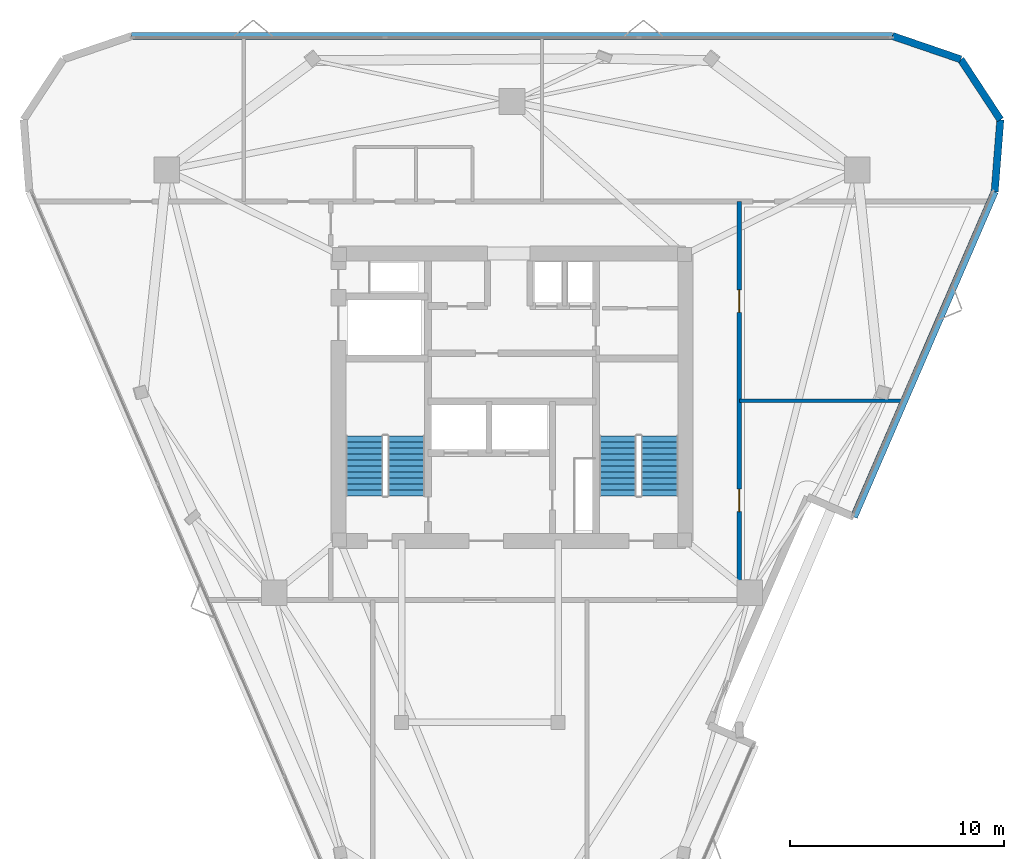
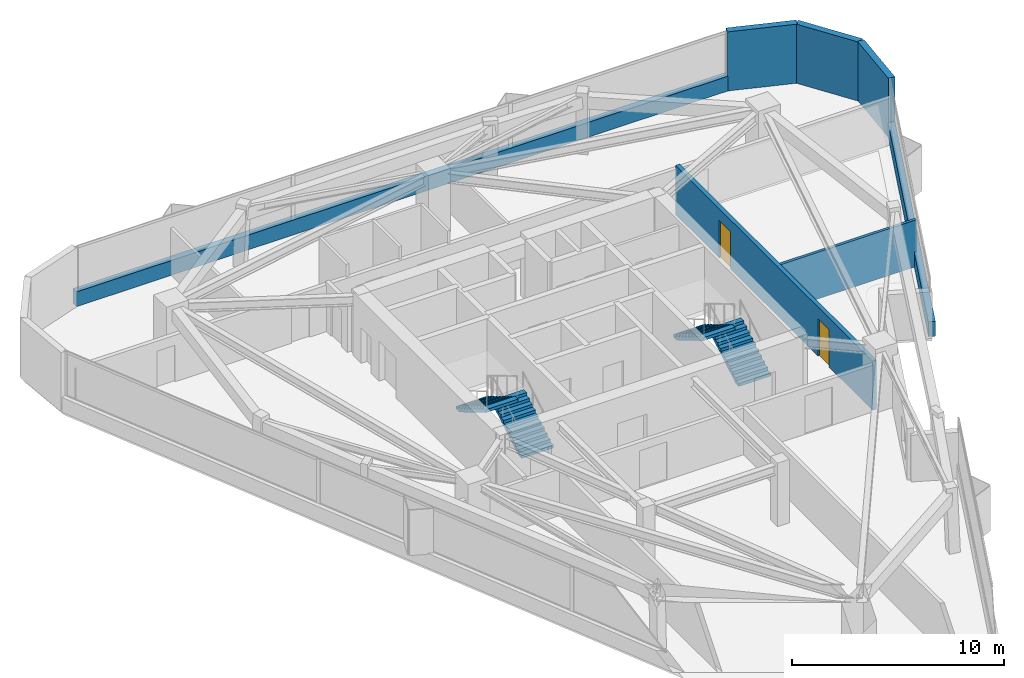
# One storey, part 9 of 10: 7 walls, 4 stair flights, 2 doors, 2 openings, 2 elements without a shape of their own.
"""IFC4 building model written with IfcOpenShell, lengths in metres."""

from ifc_helpers import new_model, si_unit, direction, frame, frame_2d, origin, place, context, subcontext, project, spatial, polyline, rectangle, outline, extrude, material, layer, layer_set, type_object, element, fill, aggregate, save


model = new_model("IFC4")

# Units and contexts
model_context = context("Model", 3, precision=1e-05, world=origin(), true_north=direction((0.0, 1.0)))
body_context = subcontext(model_context, "Body", "Model", "MODEL_VIEW")
ifc_project = project(units=[si_unit("LENGTHUNIT", "METRE"), si_unit("AREAUNIT", "SQUARE_METRE"), si_unit("VOLUMEUNIT", "CUBIC_METRE"), si_unit("PLANEANGLEUNIT", "RADIAN"), si_unit("MASSUNIT", "GRAM", prefix="KILO")], contexts=[model_context])

# Site, building, storey
site_placement = place(None, origin())
site = spatial("IfcSite", under=ifc_project, at=site_placement, CompositionType="ELEMENT")
building_placement = place(site_placement, origin())
building = spatial("IfcBuilding", under=site, at=building_placement, Name="Talyreon Biosciences Tower", CompositionType="ELEMENT")
storey_placement = place(building_placement, frame((0.0, 0.0, 257.14990234375)))
storey = spatial("IfcBuildingStorey", under=building, at=storey_placement, Name="L68", CompositionType="ELEMENT", Elevation=257.14990234375)

# Wall, openings, doors
ifc_material_1 = material(Name="Gypsum fireboard acoustic stud", Category="gypsum")
ifc_layer_1 = layer(ifc_material_1, 0.219970703125)
ifc_layer_set_1 = layer_set([ifc_layer_1], Name="Gypsum fireboard acoustic stud")
wall_type_1 = type_object("IfcWallType", Name="CorridorRatedPartition_220", PredefinedType="PARTITIONING", material=ifc_layer_set_1)
wall_1_placement = place(storey_placement, frame((76.60009765625, 58.550048828125, 0.0), z_axis=(0.0, 0.0, 1.0), x_axis=(0.0, 1.0, 0.0)))
wall_1 = element("IfcWall", 1, at=wall_1_placement, inside=storey, type_object=wall_type_1, Name="L68 Interior Wall IW-L68-COR-E", PredefinedType="PARTITIONING", context=body_context, shape_type="SweptSolid", body=[
    extrude(rectangle(XDim=18.579833984375, YDim=0.219970703125, at=frame_2d((9.2900390625, 0.0))), origin(), (0.0, 0.0, 1.0), 2.830078125),
])
opening_1_placement = place(wall_1_placement, frame((4.1201171875, 0.0, 0.0)))
opening_1 = element("IfcOpeningElement", 2, at=opening_1_placement, cuts=wall_1, Name="Opening DR-L68-E1A", PredefinedType="OPENING", context=body_context, shape_type="SweptSolid", body=[
    extrude(rectangle(XDim=1.050048828125, YDim=2.14990234375, at=frame_2d((0.52490234375, 1.074951171875))), frame((0.0, 0.119873046875, 0.0), z_axis=(0.0, -1.0, 0.0), x_axis=(1.0, 0.0, 0.0)), (0.0, 0.0, 1.0), 0.239990234375),
])
opening_2_placement = place(wall_1_placement, frame((13.409912109375, 0.0, 0.0)))
opening_2 = element("IfcOpeningElement", 3, at=opening_2_placement, cuts=wall_1, Name="Opening DR-L68-E2A", PredefinedType="OPENING", context=body_context, shape_type="SweptSolid", body=[
    extrude(rectangle(XDim=1.050048828125, YDim=2.14990234375, at=frame_2d((0.52490234375, 1.074951171875))), frame((0.0, 0.119873046875, 0.0), z_axis=(0.0, -1.0, 0.0), x_axis=(1.0, 0.0, 0.0)), (0.0, 0.0, 1.0), 0.239990234375),
])
ifc_material_2 = material(Name="Acoustic timber-core laboratory door", Category="wood")
door_type = type_object("IfcDoorType", Name="DryLabSingleDoor_1050x2150", OperationType="NOTDEFINED", PredefinedType="DOOR", material=ifc_material_2)
door_1_placement = place(opening_1_placement, origin())
door_1 = element("IfcDoor", 4, at=door_1_placement, inside=storey, type_object=door_type, Name="L68 Interior Door DR-L68-E1A", OperationType="SINGLE_SWING_RIGHT", OverallHeight=2.14990234375, OverallWidth=1.050048828125, PredefinedType="DOOR", context=body_context, shape_type="SweptSolid", body=[
    extrude(rectangle(XDim=1.050048828125, YDim=2.14990234375, at=frame_2d((0.52490234375, 1.074951171875))), frame((0.0, 0.02490234375, 0.0), z_axis=(0.0, -1.0, 0.0), x_axis=(1.0, 0.0, 0.0)), (0.0, 0.0, 1.0), 0.050048828125),
])
fill(opening_1, door_1)
door_2_placement = place(opening_2_placement, origin())
door_2 = element("IfcDoor", 5, at=door_2_placement, inside=storey, type_object=door_type, Name="L68 Interior Door DR-L68-E2A", OperationType="SINGLE_SWING_LEFT", OverallHeight=2.14990234375, OverallWidth=1.050048828125, PredefinedType="DOOR", context=body_context, shape_type="SweptSolid", body=[
    extrude(rectangle(XDim=1.050048828125, YDim=2.14990234375, at=frame_2d((0.52490234375, 1.074951171875))), frame((0.0, 0.02490234375, 0.0), z_axis=(0.0, -1.0, 0.0), x_axis=(1.0, 0.0, 0.0)), (0.0, 0.0, 1.0), 0.050048828125),
])
fill(opening_2, door_2)

# Walls
ifc_material_3 = material(Name="Gypsum acoustic stud partition", Category="gypsum")
ifc_layer_2 = layer(ifc_material_3, 0.159912109375)
ifc_layer_set_2 = layer_set([ifc_layer_2], Name="Gypsum acoustic stud partition")
wall_type_2 = type_object("IfcWallType", Name="LabSeparationPartition_160", PredefinedType="PARTITIONING", material=ifc_layer_set_2)
wall_2_placement = place(storey_placement, frame((76.60009765625, 67.840087890625, 0.0), z_axis=(0.0, 0.0, 1.0), x_axis=(1.0, 0.0, 0.0)))
element("IfcWall", 6, at=wall_2_placement, inside=storey, type_object=wall_type_2, Name="L68 Interior Wall IW-L68-EDIV1", PredefinedType="PARTITIONING", context=body_context, shape_type="SweptSolid", body=[
    extrude(rectangle(XDim=7.599853515625, YDim=0.159912109375, at=frame_2d((3.7998046875, 0.0))), origin(), (0.0, 0.0, 1.0), 2.68017578125),
])
ifc_material_4 = material(Name="Precast concrete C45/55", Category="concrete")
ifc_layer_3 = layer(ifc_material_4, 0.340087890625)
ifc_layer_set_3 = layer_set([ifc_layer_3], Name="Precast concrete C45/55")
wall_type_3 = type_object("IfcWallType", Name="PrecastConcreteSpandrelWall_340", PredefinedType="STANDARD", material=ifc_layer_set_3)
wall_3_placement = place(storey_placement, frame((48.261474609375, 84.85107421875, 0.0), z_axis=(0.0, 0.0, 1.0), x_axis=(1.0, 0.0, 0.0)))
element("IfcWall", 7, at=wall_3_placement, inside=storey, type_object=wall_type_3, Name="L68 Expressed Concrete Sill Wall 03", PredefinedType="STANDARD", context=body_context, shape_type="SweptSolid", body=[
    extrude(rectangle(XDim=35.47705078125, YDim=0.340087890625, at=frame_2d((17.738525390625, 0.0))), origin(), (0.0, 0.0, 1.0), 0.85009765625),
])
for number, where, z_axis, x_axis, name in (
    (8, (83.738525390625, 84.85107421875, 0.0), (0.0, 0.0, 1.0), (0.946079263446, -0.323935220805, 0.0), "L68 Rounded-Corner Concrete Pier 04"),
    (9, (86.92578125, 83.759765625, 0.0), (0.0, 0.0, 1.0), (0.548950833431, -0.835854641953, 0.0), "L68 Rounded-Corner Concrete Pier 05"),
    (10, (88.775146484375, 80.94384765625, 0.0), (0.0, 0.0, 1.0), (-0.078558440607, -0.996909510141, 0.0), "L68 Rounded-Corner Concrete Pier 06"),
):
    element("IfcWall", number, at=place(storey_placement, frame(where, z_axis=z_axis, x_axis=x_axis)), inside=storey, type_object=wall_type_3, Name=name, PredefinedType="STANDARD", context=body_context, shape_type="SweptSolid", body=[
        extrude(rectangle(XDim=3.368896484375, YDim=0.340087890625, at=frame_2d((1.6845703125, 0.0))), origin(), (0.0, 0.0, 1.0), 3.400146484375),
    ])
wall_4_placement = place(storey_placement, frame((88.510498046875, 77.58544921875, 0.0), z_axis=(0.0, 0.0, 1.0), x_axis=(-0.397209451252, -0.917727983575, 0.0)))
element("IfcWall", 11, at=wall_4_placement, inside=storey, type_object=wall_type_3, Name="L68 Expressed Concrete Sill Wall 07", PredefinedType="STANDARD", context=body_context, shape_type="SweptSolid", body=[
    extrude(rectangle(XDim=16.5283203125, YDim=0.340087890625, at=frame_2d((8.26416015625, 0.0))), origin(), (0.0, 0.0, 1.0), 0.85009765625),
])

# Stair, stair flights
ifc_material_5 = material(Name="Concrete C40/50", Category="concrete")
stair_type = type_object("IfcStairType", Name="DoglegEscapeStair_3650", PredefinedType="HALF_TURN_STAIR", material=ifc_material_5)
stair_1_placement = place(storey_placement, origin())
stair_1 = element("IfcStair", 12, at=stair_1_placement, inside=storey, type_object=stair_type, Name="L68 Core Escape Stair 1", PredefinedType="HALF_TURN_STAIR")
stair_flight_type = type_object("IfcStairFlightType", Name="PrecastStairFlight_3650", PredefinedType="STRAIGHT", material=ifc_material_5)
stair_flight_1_placement = place(storey_placement, frame((61.06005859375, 63.39990234375, 0.0), z_axis=(0.0, 0.0, 1.0), x_axis=(0.0, 1.0, 0.0)))
stair_flight_1 = element("IfcStairFlight", 13, at=stair_flight_1_placement, type_object=stair_flight_type, Name="ST-1 flight 1", NumberOfRisers=11, NumberOfTreads=10, PredefinedType="STRAIGHT", RiserHeight=0.165909091, TreadLength=0.28, context=body_context, shape_type="SweptSolid", body=[
    extrude(outline(polyline([(0.0, 0.0), (0.0, 0.166015625), (0.280029296875, 0.166015625), (0.280029296875, 0.331787109375), (0.56005859375, 0.331787109375), (0.56005859375, 0.497802734375), (0.840087890625, 0.497802734375), (0.840087890625, 0.66357421875), (1.1201171875, 0.66357421875), (1.1201171875, 0.82958984375), (1.39990234375, 0.82958984375), (1.39990234375, 0.995361328125), (1.679931640625, 0.995361328125), (1.679931640625, 1.161376953125), (1.9599609375, 1.161376953125), (1.9599609375, 1.327392578125), (2.239990234375, 1.327392578125), (2.239990234375, 1.4931640625), (2.52001953125, 1.4931640625), (2.52001953125, 1.6591796875), (2.800048828125, 1.6591796875), (2.800048828125, 1.824951171875), (2.800048828125, 1.48486328125), (0.2939453125, 0.0), (0.0, 0.0)])), frame((0.0, 0.8701171875, 0.0), z_axis=(0.0, -1.0, 0.0), x_axis=(1.0, 0.0, 0.0)), (0.0, 0.0, 1.0), 1.739990234375),
])
stair_flight_2_placement = place(storey_placement, frame((59.1201171875, 66.199951171875, 1.8251953125), z_axis=(0.0, 0.0, 1.0), x_axis=(0.0, -1.0, 0.0)))
stair_flight_2 = element("IfcStairFlight", 14, at=stair_flight_2_placement, type_object=stair_flight_type, Name="ST-1 flight 2", NumberOfRisers=11, NumberOfTreads=10, PredefinedType="STRAIGHT", RiserHeight=0.165909091, TreadLength=0.28, context=body_context, shape_type="SweptSolid", body=[
    extrude(outline(polyline([(0.0, 0.0), (0.0, 0.166015625), (0.280029296875, 0.166015625), (0.280029296875, 0.331787109375), (0.56005859375, 0.331787109375), (0.56005859375, 0.497802734375), (0.840087890625, 0.497802734375), (0.840087890625, 0.66357421875), (1.1201171875, 0.66357421875), (1.1201171875, 0.82958984375), (1.39990234375, 0.82958984375), (1.39990234375, 0.995361328125), (1.679931640625, 0.995361328125), (1.679931640625, 1.161376953125), (1.9599609375, 1.161376953125), (1.9599609375, 1.327392578125), (2.239990234375, 1.327392578125), (2.239990234375, 1.4931640625), (2.52001953125, 1.4931640625), (2.52001953125, 1.6591796875), (2.800048828125, 1.6591796875), (2.800048828125, 1.824951171875), (2.800048828125, 1.48486328125), (0.2939453125, 0.0), (0.0, 0.0)])), frame((0.0, 0.8701171875, 0.0), z_axis=(0.0, -1.0, 0.0), x_axis=(1.0, 0.0, 0.0)), (0.0, 0.0, 1.0), 1.739990234375),
])
aggregate(stair_1, [stair_flight_1, stair_flight_2])

stair_2_placement = place(storey_placement, origin())
stair_2 = element("IfcStair", 15, at=stair_2_placement, inside=storey, type_object=stair_type, Name="L68 Core Escape Stair 2", PredefinedType="HALF_TURN_STAIR")
stair_flight_3_placement = place(storey_placement, frame((72.8798828125, 63.39990234375, 0.0), z_axis=(0.0, 0.0, 1.0), x_axis=(0.0, 1.0, 0.0)))
stair_flight_3 = element("IfcStairFlight", 16, at=stair_flight_3_placement, type_object=stair_flight_type, Name="ST-2 flight 1", NumberOfRisers=11, NumberOfTreads=10, PredefinedType="STRAIGHT", RiserHeight=0.165909091, TreadLength=0.28, context=body_context, shape_type="SweptSolid", body=[
    extrude(outline(polyline([(0.0, 0.0), (0.0, 0.166015625), (0.280029296875, 0.166015625), (0.280029296875, 0.331787109375), (0.56005859375, 0.331787109375), (0.56005859375, 0.497802734375), (0.840087890625, 0.497802734375), (0.840087890625, 0.66357421875), (1.1201171875, 0.66357421875), (1.1201171875, 0.82958984375), (1.39990234375, 0.82958984375), (1.39990234375, 0.995361328125), (1.679931640625, 0.995361328125), (1.679931640625, 1.161376953125), (1.9599609375, 1.161376953125), (1.9599609375, 1.327392578125), (2.239990234375, 1.327392578125), (2.239990234375, 1.4931640625), (2.52001953125, 1.4931640625), (2.52001953125, 1.6591796875), (2.800048828125, 1.6591796875), (2.800048828125, 1.824951171875), (2.800048828125, 1.48486328125), (0.2939453125, 0.0), (0.0, 0.0)])), frame((0.0, 0.8701171875, 0.0), z_axis=(0.0, -1.0, 0.0), x_axis=(1.0, 0.0, 0.0)), (0.0, 0.0, 1.0), 1.739990234375),
])
stair_flight_4_placement = place(storey_placement, frame((70.93994140625, 66.199951171875, 1.8251953125), z_axis=(0.0, 0.0, 1.0), x_axis=(0.0, -1.0, 0.0)))
stair_flight_4 = element("IfcStairFlight", 17, at=stair_flight_4_placement, type_object=stair_flight_type, Name="ST-2 flight 2", NumberOfRisers=11, NumberOfTreads=10, PredefinedType="STRAIGHT", RiserHeight=0.165909091, TreadLength=0.28, context=body_context, shape_type="SweptSolid", body=[
    extrude(outline(polyline([(0.0, 0.0), (0.0, 0.166015625), (0.280029296875, 0.166015625), (0.280029296875, 0.331787109375), (0.56005859375, 0.331787109375), (0.56005859375, 0.497802734375), (0.840087890625, 0.497802734375), (0.840087890625, 0.66357421875), (1.1201171875, 0.66357421875), (1.1201171875, 0.82958984375), (1.39990234375, 0.82958984375), (1.39990234375, 0.995361328125), (1.679931640625, 0.995361328125), (1.679931640625, 1.161376953125), (1.9599609375, 1.161376953125), (1.9599609375, 1.327392578125), (2.239990234375, 1.327392578125), (2.239990234375, 1.4931640625), (2.52001953125, 1.4931640625), (2.52001953125, 1.6591796875), (2.800048828125, 1.6591796875), (2.800048828125, 1.824951171875), (2.800048828125, 1.48486328125), (0.2939453125, 0.0), (0.0, 0.0)])), frame((0.0, 0.8701171875, 0.0), z_axis=(0.0, -1.0, 0.0), x_axis=(1.0, 0.0, 0.0)), (0.0, 0.0, 1.0), 1.739990234375),
])
aggregate(stair_2, [stair_flight_3, stair_flight_4])

save(model, "model.ifc")
